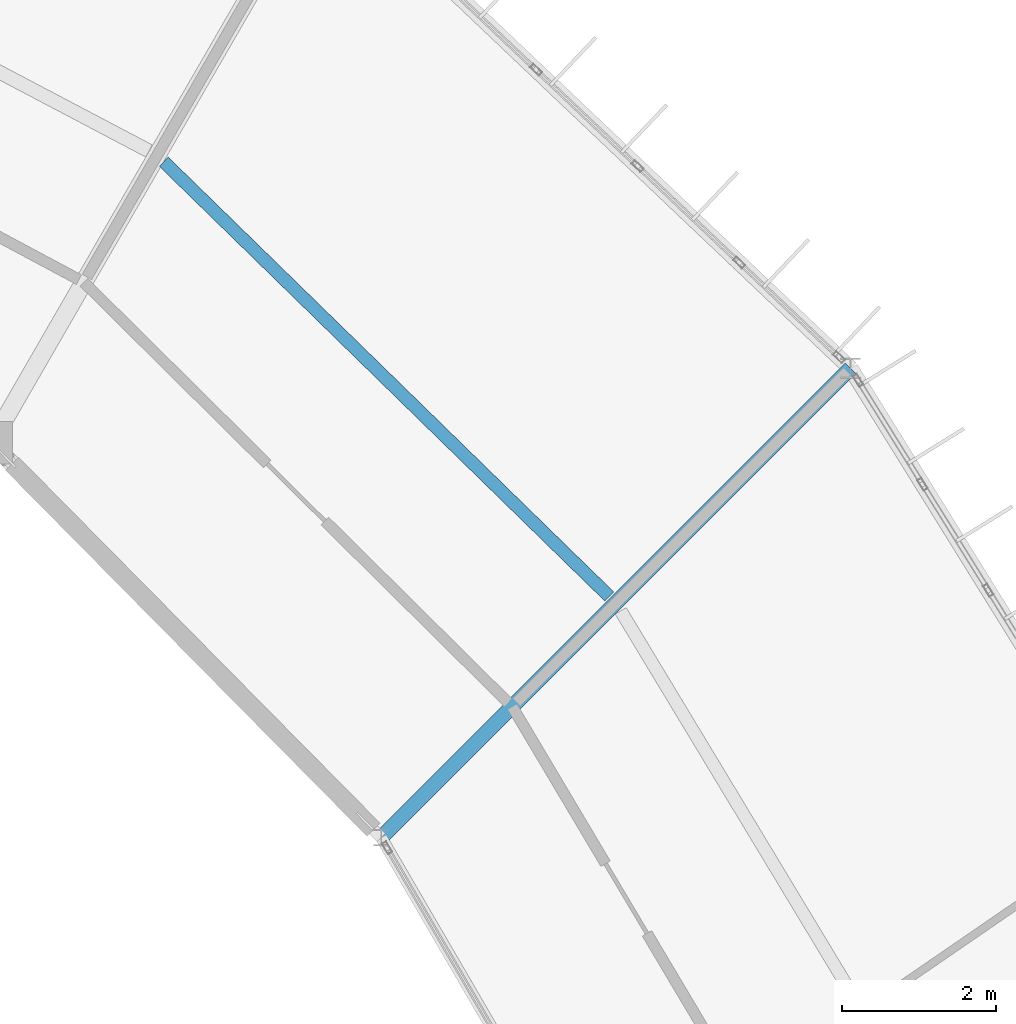
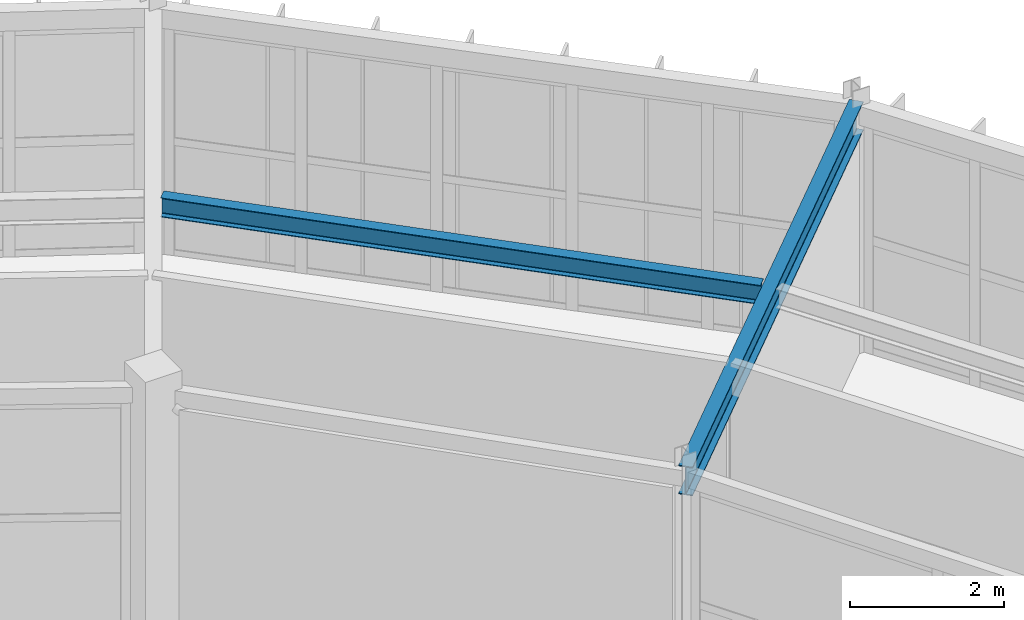
# One storey, part 68 of 106: 2 beams.
"""IFC4 building model written with IfcOpenShell, lengths in metres."""

from ifc_helpers import new_model, si_unit, direction, frame, origin, origin_2d, place, context, subcontext, project, spatial, i_section, extrude, material, material_profile, profile_set, type_object, element, save


model = new_model("IFC4")

# Units and contexts
model_context = context("Model", 3, precision=1e-05, world=origin(), true_north=direction((0.0, 1.0)))
body_context = subcontext(model_context, "Body", "Model", "MODEL_VIEW")
ifc_project = project(units=[si_unit("LENGTHUNIT", "METRE"), si_unit("AREAUNIT", "SQUARE_METRE"), si_unit("VOLUMEUNIT", "CUBIC_METRE"), si_unit("PLANEANGLEUNIT", "RADIAN"), si_unit("MASSUNIT", "GRAM", prefix="KILO")], contexts=[model_context])

# Site, building, storey
site_placement = place(None, origin())
site = spatial("IfcSite", under=ifc_project, at=site_placement, CompositionType="ELEMENT")
building_placement = place(site_placement, origin())
building = spatial("IfcBuilding", under=site, at=building_placement, Name="Karori Crest Natural Sciences Institute", CompositionType="ELEMENT")
storey_placement = place(building_placement, frame((0.0, 0.0, 25.89990234375)))
storey = spatial("IfcBuildingStorey", under=building, at=storey_placement, Name="L06", CompositionType="ELEMENT", Elevation=25.89990234375)

# Beams
ifc_material = material(Name="Structural steel AS/NZS 3679.1 Grade 350", Category="steel")
ifc_material_profile_1 = material_profile(ifc_material, i_section(OverallWidth=0.19091796875, OverallDepth=0.4599609375, WebThickness=0.010009765625, FlangeThickness=0.01611328125, FilletRadius=0.010986328125, at=origin_2d()), Name="460UB82.1")
ifc_profile_set_1 = profile_set([ifc_material_profile_1], Name="Structural steel AS/NZS 3679.1 Grade 350")
beam_type_1 = type_object("IfcBeamType", Name="BT-06", PredefinedType="BEAM", material=ifc_profile_set_1)
beam_1_placement = place(storey_placement, frame((83.6533203125, 72.668701171875, 3.710205078125), z_axis=(0.707106781187, 0.707106781187, 0.0), x_axis=(-0.707106781187, 0.707106781187, 0.0)))
element("IfcBeam", 1, at=beam_1_placement, inside=storey, type_object=beam_type_1, Name="Beam B-0631", PredefinedType="BEAM", context=body_context, shape_type="SweptSolid", body=[
    extrude(i_section(OverallWidth=0.19091796875, OverallDepth=0.4599609375, WebThickness=0.010009765625, FlangeThickness=0.01611328125, FilletRadius=0.010986328125, at=origin_2d()), origin(), (0.0, 0.0, 1.0), 8.600341796875),
])
ifc_material_profile_2 = material_profile(ifc_material, i_section(OverallWidth=0.166015625, OverallDepth=0.306884765625, WebThickness=0.006591796875, FlangeThickness=0.01171875, FilletRadius=0.010986328125, at=origin_2d()), Name="310UB46.2")
ifc_profile_set_2 = profile_set([ifc_material_profile_2], Name="Structural steel AS/NZS 3679.1 Grade 350")
beam_type_2 = type_object("IfcBeamType", Name="BT-09", PredefinedType="BEAM", material=ifc_profile_set_2)
beam_2_placement = place(storey_placement, frame((86.608154296875, 75.793212890625, 3.78662109375), z_axis=(-0.715696324431, 0.698411605857, 0.0), x_axis=(-0.698411605857, -0.715696324431, 0.0)))
element("IfcBeam", 2, at=beam_2_placement, inside=storey, type_object=beam_type_2, Name="Beam B-0632", PredefinedType="BEAM", context=body_context, shape_type="SweptSolid", body=[
    extrude(i_section(OverallWidth=0.166015625, OverallDepth=0.306884765625, WebThickness=0.006591796875, FlangeThickness=0.01171875, FilletRadius=0.010986328125, at=origin_2d()), origin(), (0.0, 0.0, 1.0), 8.065185546875),
])

save(model, "model.ifc")
